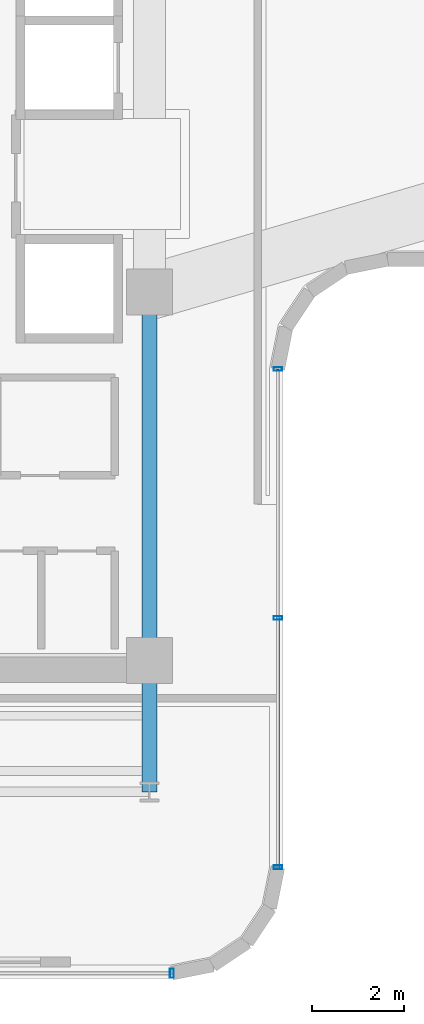
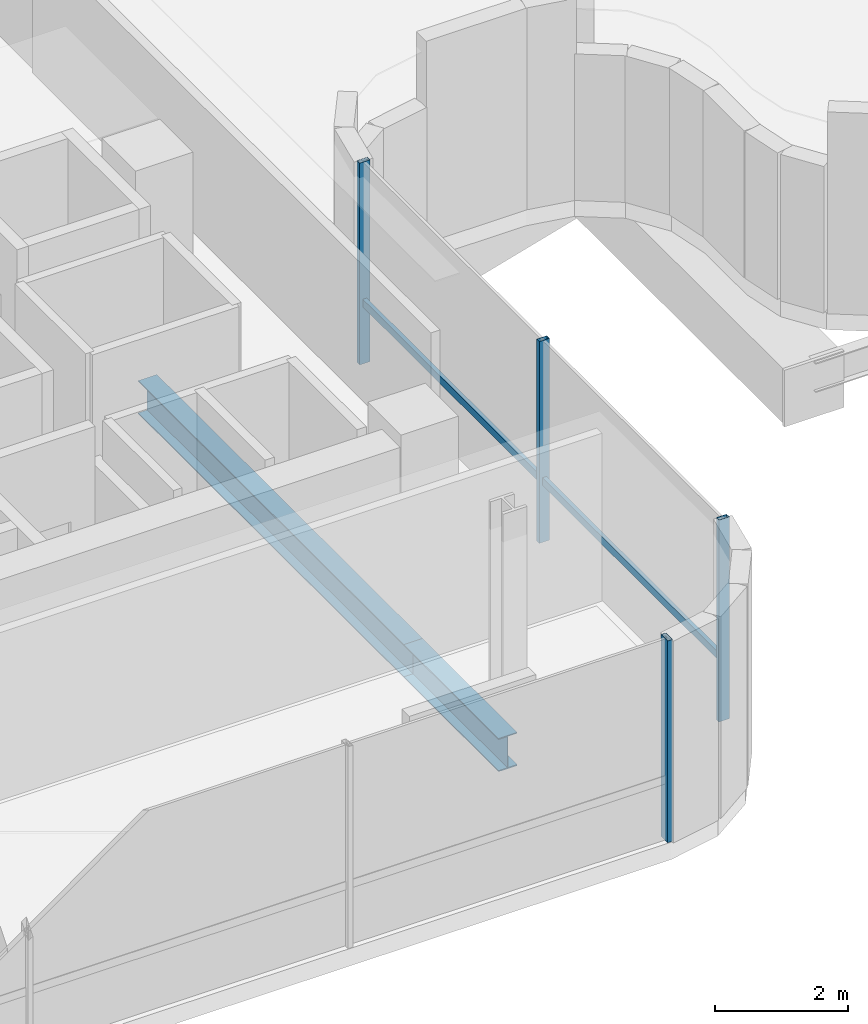
# One storey, part 6 of 35: 5 members, 2 beams, 2 elements without a shape of their own.
"""IFC4 building model written with IfcOpenShell, lengths in metres."""

import ifcopenshell
import ifcopenshell.guid

model = None  # the IFC model being written
_history = None  # IfcOwnerHistory: only IFC2X3 demands one
_inside = {}  # id of a spatial element -> (the spatial element, [elements in it])
_under = {}  # id of a project, library or spatial element -> (it, [spatial elements below it])
_declared = {}  # id of a project -> (the project, [libraries it declares])
_typed = {}  # id of a type object -> (the type object, [elements of that type])
_made_of = {}  # id of a material, layer set ... -> (it, [elements and type objects made of it])


def new_model(schema):
    """Start an empty IFC model of exactly this schema.

    Asked for "IFC4X3", IfcOpenShell would pick the latest addendum, in which some entities
    have other attributes; the version numbers below select the first issue.
    IFC2X3 requires an IfcOwnerHistory on every rooted entity: one is made here for all.
    """
    global model, _history
    if schema == "IFC4X3":
        model = ifcopenshell.file(schema_version=(4, 3, 0, 0))
    else:
        model = ifcopenshell.file(schema=schema)
    _inside.clear()
    _under.clear()
    _declared.clear()
    _typed.clear()
    _made_of.clear()
    _history = None
    if model.schema == "IFC2X3":
        org = make("IfcOrganization", Name="unknown")
        user = make(
            "IfcPersonAndOrganization",
            ThePerson=make("IfcPerson", FamilyName="unknown"),
            TheOrganization=org,
        )
        app = make(
            "IfcApplication",
            ApplicationDeveloper=org,
            Version="unknown",
            ApplicationFullName="unknown",
            ApplicationIdentifier="unknown",
        )
        _history = make(
            "IfcOwnerHistory",
            OwningUser=user,
            OwningApplication=app,
            ChangeAction="ADDED",
            CreationDate=0,
        )
    return model


def make(cls, **values):
    """One entity of the class cls with the attributes given. An attribute that is None is left unset."""
    return model.create_entity(
        cls, **{name: value for name, value in values.items() if value is not None}
    )


def rooted(cls, **values):
    """An entity with a GlobalId (a new one), such as an element, a storey or a relation."""
    return make(cls, GlobalId=ifcopenshell.guid.new(), OwnerHistory=_history, **values)


def si_unit(unit_type, name, prefix=None):
    """IfcSIUnit, for example si_unit("LENGTHUNIT", "METRE", prefix="MILLI")."""
    return make("IfcSIUnit", UnitType=unit_type, Prefix=prefix, Name=name)


def assignment(units):
    """IfcUnitAssignment: the units of a project."""
    return None if units is None else make("IfcUnitAssignment", Units=units)


def point(xyz):
    """IfcCartesianPoint."""
    return None if xyz is None else make("IfcCartesianPoint", Coordinates=xyz)


def direction(xyz):
    """IfcDirection."""
    return None if xyz is None else make("IfcDirection", DirectionRatios=xyz)


def frame(location, z_axis=None, x_axis=None):
    """IfcAxis2Placement3D, a coordinate frame: its origin and axes. An axis left out is left unset."""
    return make(
        "IfcAxis2Placement3D",
        Location=point(location),
        Axis=direction(z_axis),
        RefDirection=direction(x_axis),
    )


def frame_2d(location, x_axis=None):
    """IfcAxis2Placement2D, a coordinate frame in the plane: its origin and x axis."""
    return make(
        "IfcAxis2Placement2D", Location=point(location), RefDirection=direction(x_axis)
    )


def origin():
    """The frame at (0, 0, 0) with its axes left unset."""
    return frame((0.0, 0.0, 0.0))


def origin_2d():
    """The frame at (0, 0) in the plane with its x axis left unset."""
    return frame_2d((0.0, 0.0))


def place(relative_to, where):
    """IfcLocalPlacement: puts the frame where relative to a parent placement (None: the world)."""
    return make(
        "IfcLocalPlacement", PlacementRelTo=relative_to, RelativePlacement=where
    )


def context(
    kind, dimensions, precision=None, world=None, true_north=None, identifier=None
):
    """IfcGeometricRepresentationContext, for example the 3D "Model" context."""
    return make(
        "IfcGeometricRepresentationContext",
        ContextIdentifier=identifier,
        ContextType=kind,
        CoordinateSpaceDimension=dimensions,
        Precision=precision,
        WorldCoordinateSystem=world,
        TrueNorth=true_north,
    )


def subcontext(parent, identifier, kind, view, scale=None):
    """IfcGeometricRepresentationSubContext, for example "Body" below "Model"."""
    return make(
        "IfcGeometricRepresentationSubContext",
        ContextIdentifier=identifier,
        ContextType=kind,
        ParentContext=parent,
        TargetScale=scale,
        TargetView=view,
    )


def project(units=None, contexts=None):
    """IfcProject with its units and contexts."""
    return rooted(
        "IfcProject",
        Name="project",
        RepresentationContexts=contexts,
        UnitsInContext=assignment(units),
    )


def spatial(cls, under=None, at=None, **own):
    """A site, building, storey or space (cls), placed at a placement, below another one or the project."""
    s = rooted(cls, ObjectPlacement=at, **own)
    if under is not None:
        _under.setdefault(under.id(), (under, []))[1].append(s)
    return s


def profile(cls, at=None, kind="AREA", **sizes):
    """A parametric profile (cls). Its sizes go by their IFC names, for example OverallWidth=200.0."""
    return make(cls, ProfileType=kind, Position=at, **sizes)


def hollow_rectangle(**sizes):
    """IfcRectangleHollowProfileDef."""
    return profile("IfcRectangleHollowProfileDef", **sizes)


def i_section(**sizes):
    """IfcIShapeProfileDef."""
    return profile("IfcIShapeProfileDef", **sizes)


def extrude(swept, where, along, depth):
    """IfcExtrudedAreaSolid: the profile swept, set in the frame where, extruded along a direction by depth."""
    return make(
        "IfcExtrudedAreaSolid",
        SweptArea=swept,
        Position=where,
        ExtrudedDirection=direction(along),
        Depth=depth,
    )


def shape(context_of_items, identifier, shape_type, items):
    """IfcShapeRepresentation: the items that make up one representation, for example the "Body"."""
    return make(
        "IfcShapeRepresentation",
        ContextOfItems=context_of_items,
        RepresentationIdentifier=identifier,
        RepresentationType=shape_type,
        Items=items,
    )


def source(mapping_origin, context_of_items, identifier, shape_type, items):
    """IfcRepresentationMap: a shape defined once, which mapped items show again and again."""
    return make(
        "IfcRepresentationMap",
        MappingOrigin=mapping_origin,
        MappedRepresentation=shape(context_of_items, identifier, shape_type, items),
    )


def transform(
    local_origin,
    x_axis=None,
    y_axis=None,
    z_axis=None,
    scale=None,
    scale2=None,
    scale3=None,
    uniform=True,
):
    """IfcCartesianTransformationOperator3D, or its non-uniform kind. x_axis, y_axis, z_axis: its Axis1, 2, 3."""
    if uniform:
        return make(
            "IfcCartesianTransformationOperator3D",
            Axis1=direction(x_axis),
            Axis2=direction(y_axis),
            LocalOrigin=point(local_origin),
            Scale=scale,
            Axis3=direction(z_axis),
        )
    return make(
        "IfcCartesianTransformationOperator3DnonUniform",
        Axis1=direction(x_axis),
        Axis2=direction(y_axis),
        LocalOrigin=point(local_origin),
        Scale=scale,
        Axis3=direction(z_axis),
        Scale2=scale2,
        Scale3=scale3,
    )


def mapped(mapping_source, mapping_target):
    """IfcMappedItem: shows the shape of a source again, moved by a transform."""
    return make(
        "IfcMappedItem", MappingSource=mapping_source, MappingTarget=mapping_target
    )


def material(Name=None, Category=None):
    """IfcMaterial."""
    return make("IfcMaterial", Name=Name, Category=Category)


def material_profile(
    of_material, cross_section, Name=None, Category=None, Priority=None
):
    """IfcMaterialProfile: a cross section and its material."""
    return make(
        "IfcMaterialProfile",
        Name=Name,
        Material=of_material,
        Profile=cross_section,
        Priority=Priority,
        Category=Category,
    )


def profile_set(profiles, Name=None, composite=None):
    """IfcMaterialProfileSet."""
    return make(
        "IfcMaterialProfileSet",
        Name=Name,
        MaterialProfiles=profiles,
        CompositeProfile=composite,
    )


def made_of(thing, what):
    """Note that an element or type object is made of a material, layer set ...; save() writes the relation."""
    if what is not None:
        _made_of.setdefault(what.id(), (what, []))[1].append(thing)
    return thing


def type_object(cls, material=None, **own):
    """A type object (cls), such as IfcWallType, which elements share."""
    return made_of(rooted(cls, **own), material)


def element(
    cls,
    number,
    at=None,
    inside=None,
    cuts=None,
    type_object=None,
    material=None,
    context=None,
    identifier="Body",
    shape_type=None,
    held_by="IfcProductDefinitionShape",
    body=None,
    shapes=None,
    **own,
):
    """One element of the class cls, such as IfcWall. Its Tag is "e" and its number.

    at: its placement. inside: the storey or other place that contains it. cuts: it is an
    opening in that element (IfcRelVoidsElement). A single representation is given by context,
    identifier, shape_type and body (its items); several are given by shapes. held_by: the class
    of the entity that holds the representations. save() writes the other relations.
    """
    e = rooted(cls, Tag="e%d" % number, ObjectPlacement=at, **own)
    if body is not None:
        shapes = [shape(context, identifier, shape_type, body)]
    if shapes is not None:
        e.Representation = make(held_by, Representations=shapes)
    if inside is not None:
        _inside.setdefault(inside.id(), (inside, []))[1].append(e)
    if cuts is not None:
        rooted(
            "IfcRelVoidsElement", RelatingBuildingElement=cuts, RelatedOpeningElement=e
        )
    if type_object is not None:
        _typed.setdefault(type_object.id(), (type_object, []))[1].append(e)
    return made_of(e, material)


def aggregate(whole, parts):
    """IfcRelAggregates: a whole, such as a stair, and the parts it consists of."""
    return rooted("IfcRelAggregates", RelatingObject=whole, RelatedObjects=parts)


def save(model, path):
    """Write the relations noted so far, then the file.

    IfcRelAggregates (storeys below a building ...), IfcRelContainedInSpatialStructure (elements
    in a storey), IfcRelDefinesByType, IfcRelAssociatesMaterial and IfcRelDeclares: one each for
    every whole, place, type object, material and project.
    """
    for whole, parts in _under.values():
        aggregate(whole, parts)
    for where, things in _inside.values():
        rooted(
            "IfcRelContainedInSpatialStructure",
            RelatedElements=things,
            RelatingStructure=where,
        )
    for kind, things in _typed.values():
        rooted("IfcRelDefinesByType", RelatedObjects=things, RelatingType=kind)
    for what, things in _made_of.values():
        rooted("IfcRelAssociatesMaterial", RelatedObjects=things, RelatingMaterial=what)
    for by, libraries in _declared.values():
        rooted("IfcRelDeclares", RelatingContext=by, RelatedDefinitions=libraries)
    model.write(path)


model = new_model("IFC4")

# Units and contexts
model_context = context("Model", 3, precision=1e-05, world=origin(), true_north=direction((0.0, 1.0)))
body_context = subcontext(model_context, "Body", "Model", "MODEL_VIEW")
ifc_project = project(units=[si_unit("LENGTHUNIT", "METRE"), si_unit("AREAUNIT", "SQUARE_METRE"), si_unit("VOLUMEUNIT", "CUBIC_METRE"), si_unit("PLANEANGLEUNIT", "RADIAN"), si_unit("MASSUNIT", "GRAM", prefix="KILO")], contexts=[model_context])

# Site, building, storey
site_placement = place(None, origin())
site = spatial("IfcSite", under=ifc_project, at=site_placement, CompositionType="ELEMENT")
building_placement = place(site_placement, origin())
building = spatial("IfcBuilding", under=site, at=building_placement, Name="Valdorenza Pilgrim Sanctuary Tower", CompositionType="ELEMENT")
storey_placement = place(building_placement, frame((0.0, 0.0, 192.35009765625)))
storey = spatial("IfcBuildingStorey", under=building, at=storey_placement, Name="L49", CompositionType="ELEMENT", Elevation=192.35009765625)

# Beams
ifc_material_1 = material(Name="Steel ASTM A992 Grade 50", Category="steel")
ifc_material_profile_1 = material_profile(ifc_material_1, i_section(OverallWidth=0.323974609375, OverallDepth=0.611083984375, WebThickness=0.0126953125, FlangeThickness=0.01904296875, at=origin_2d()), Name="W24X104")
ifc_profile_set_1 = profile_set([ifc_material_profile_1], Name="Steel ASTM A992 Grade 50")
beam_type = type_object("IfcBeamType", Name="STR-BM-GRD-W24B", PredefinedType="BEAM", material=ifc_profile_set_1)
shared_shape_1 = source(origin(), body_context, "Body", "SweptSolid", [
    extrude(i_section(OverallWidth=0.323974609375, OverallDepth=0.611083984375, WebThickness=0.0126953125, FlangeThickness=0.01904296875, at=origin_2d()), origin(), (0.0, 0.0, 1.0), 8.0),
])
beam_1_placement = place(storey_placement, frame((-12.39990234375, -10.60009765625, -0.62548828125), z_axis=(0.0, 1.0, 0.0), x_axis=(-1.0, 0.0, 0.0)))
element("IfcBeam", 1, at=beam_1_placement, inside=storey, type_object=beam_type, Name="L49 Core Tie Girder CA-E-S1M0", PredefinedType="BEAM", context=body_context, shape_type="MappedRepresentation", body=[
    mapped(shared_shape_1, transform((0.0, 0.0, 0.0), x_axis=(1.0, 0.0, 0.0), y_axis=(0.0, 1.0, 0.0), z_axis=(0.0, 0.0, 1.0), scale=1.0)),
])
shared_shape_2 = source(origin(), body_context, "Body", "SweptSolid", [
    extrude(i_section(OverallWidth=0.323974609375, OverallDepth=0.611083984375, WebThickness=0.0126953125, FlangeThickness=0.01904296875, at=origin_2d()), origin(), (0.0, 0.0, 1.0), 2.849853515625),
])
beam_2_placement = place(storey_placement, frame((-12.39990234375, -13.449951171875, -0.62548828125), z_axis=(0.0, 1.0, 0.0), x_axis=(-1.0, 0.0, 0.0)))
element("IfcBeam", 2, at=beam_2_placement, inside=storey, type_object=beam_type, Name="L49 Floor Girder WA-S-LE", PredefinedType="BEAM", context=body_context, shape_type="MappedRepresentation", body=[
    mapped(shared_shape_2, transform((0.0, 0.0, 0.0), x_axis=(1.0, 0.0, 0.0), y_axis=(0.0, 1.0, 0.0), z_axis=(0.0, 0.0, 1.0), scale=1.0)),
])

# Curtain wall, member
ifc_material_2 = material(Name="Curtain-wall IGU glazing", Category="glass")
curtain_wall_type_1 = type_object("IfcCurtainWallType", Name="CW-SYS-05", PredefinedType="NOTDEFINED", material=ifc_material_2)
curtain_wall_1_placement = place(storey_placement, origin())
curtain_wall_1 = element("IfcCurtainWall", 3, at=curtain_wall_1_placement, inside=storey, type_object=curtain_wall_type_1, Name="L49 Curtain Wall CW-L49-1-77", PredefinedType="NOTDEFINED")
ifc_material_3 = material(Name="Anodised aluminium AW-6060", Category="aluminium")
ifc_material_profile_2 = material_profile(ifc_material_3, hollow_rectangle(XDim=0.070068359375, YDim=0.139892578125, WallThickness=0.00341796875, at=origin_2d()), Name="ALU-T 140x70x3.5")
ifc_profile_set_2 = profile_set([ifc_material_profile_2], Name="Anodised aluminium AW-6060")
member_type_1 = type_object("IfcMemberType", Name="CW-TRN-05", PredefinedType="USERDEFINED", material=ifc_profile_set_2)
shared_shape_3 = source(origin(), body_context, "Body", "SweptSolid", [
    extrude(hollow_rectangle(XDim=0.070068359375, YDim=0.139892578125, WallThickness=0.00341796875, at=origin_2d()), origin(), (0.0, 0.0, 1.0), 10.81982421875),
])
member_1_placement = place(storey_placement, frame((-9.610107421875, -4.269287109375, 1.119873046875), z_axis=(0.0, -1.0, 0.0), x_axis=(1.0, 0.0, 0.0)))
member_1 = element("IfcMember", 4, at=member_1_placement, type_object=member_type_1, Name="CW-L49-1-77 Transom 1", ObjectType="TRANSOM", PredefinedType="USERDEFINED", context=body_context, shape_type="MappedRepresentation", body=[
    mapped(shared_shape_3, transform((0.0, 0.0, 0.0), x_axis=(1.0, 0.0, 0.0), y_axis=(0.0, 1.0, 0.0), z_axis=(0.0, 0.0, 1.0), scale=1.0)),
])

curtain_wall_type_2 = type_object("IfcCurtainWallType", Name="CW-SYS-02", PredefinedType="NOTDEFINED", material=ifc_material_2)
curtain_wall_2_placement = place(storey_placement, origin())
curtain_wall_2 = element("IfcCurtainWall", 5, at=curtain_wall_2_placement, inside=storey, type_object=curtain_wall_type_2, Name="L49 Curtain Wall CW-L49-1-82", PredefinedType="NOTDEFINED")
ifc_material_profile_3 = material_profile(ifc_material_3, hollow_rectangle(XDim=0.0849609375, YDim=0.199951171875, WallThickness=0.0048828125, at=origin_2d()), Name="ALU-M 200x85x5")
ifc_profile_set_3 = profile_set([ifc_material_profile_3], Name="Anodised aluminium AW-6060")
member_type_2 = type_object("IfcMemberType", Name="CW-MUL-02", PredefinedType="MULLION", material=ifc_profile_set_3)
shared_shape_4 = source(origin(), body_context, "Body", "SweptSolid", [
    extrude(hollow_rectangle(XDim=0.0849609375, YDim=0.199951171875, WallThickness=0.0048828125, at=origin_2d()), origin(), (0.0, 0.0, 1.0), 3.7099609375),
])
member_2_placement = place(storey_placement, frame((-11.910888671875, -17.389892578125, 0.0), z_axis=(0.0, 0.0, 1.0), x_axis=(-1.0, 0.0, 0.0)))
member_2 = element("IfcMember", 6, at=member_2_placement, type_object=member_type_2, Name="CW-L49-1-82 Mullion 1", PredefinedType="MULLION", context=body_context, shape_type="MappedRepresentation", body=[
    mapped(shared_shape_4, transform((0.0, 0.0, 0.0), x_axis=(1.0, 0.0, 0.0), y_axis=(0.0, 1.0, 0.0), z_axis=(0.0, 0.0, 1.0), scale=1.0)),
])
aggregate(curtain_wall_2, [member_2])

# Member
ifc_material_profile_4 = material_profile(ifc_material_3, hollow_rectangle(XDim=0.080078125, YDim=0.179931640625, WallThickness=0.00439453125, at=origin_2d()), Name="ALU-M 180x80x4.5")
ifc_profile_set_4 = profile_set([ifc_material_profile_4], Name="Anodised aluminium AW-6060")
member_type_3 = type_object("IfcMemberType", Name="CW-MUL-05", PredefinedType="MULLION", material=ifc_profile_set_4)
shared_shape_5 = source(origin(), body_context, "Body", "SweptSolid", [
    extrude(hollow_rectangle(XDim=0.080078125, YDim=0.179931640625, WallThickness=0.00439453125, at=origin_2d()), origin(), (0.0, 0.0, 1.0), 3.7099609375),
])
member_3_placement = place(storey_placement, frame((-9.610107421875, -4.269287109375, 0.0), z_axis=(0.0, 0.0, 1.0), x_axis=(0.0, -1.0, 0.0)))
member_3 = element("IfcMember", 7, at=member_3_placement, type_object=member_type_3, Name="CW-L49-1-77 Mullion 1", PredefinedType="MULLION", context=body_context, shape_type="MappedRepresentation", body=[
    mapped(shared_shape_5, transform((0.0, 0.0, 0.0), x_axis=(1.0, 0.0, 0.0), y_axis=(0.0, 1.0, 0.0), z_axis=(0.0, 0.0, 1.0), scale=1.0)),
])

member_4_placement = place(storey_placement, frame((-9.610107421875, -9.67919921875, 0.0), z_axis=(0.0, 0.0, 1.0), x_axis=(0.0, -1.0, 0.0)))
member_4 = element("IfcMember", 8, at=member_4_placement, type_object=member_type_3, Name="CW-L49-1-77 Mullion 2", PredefinedType="MULLION", context=body_context, shape_type="MappedRepresentation", body=[
    mapped(shared_shape_5, transform((0.0, 0.0, 0.0), x_axis=(1.0, 0.0, 0.0), y_axis=(0.0, 1.0, 0.0), z_axis=(0.0, 0.0, 1.0), scale=1.0)),
])

member_5_placement = place(storey_placement, frame((-9.610107421875, -15.089111328125, 0.0), z_axis=(0.0, 0.0, 1.0), x_axis=(0.0, -1.0, 0.0)))
member_5 = element("IfcMember", 9, at=member_5_placement, type_object=member_type_3, Name="CW-L49-1-77 Mullion 3", PredefinedType="MULLION", context=body_context, shape_type="MappedRepresentation", body=[
    mapped(shared_shape_5, transform((0.0, 0.0, 0.0), x_axis=(1.0, 0.0, 0.0), y_axis=(0.0, 1.0, 0.0), z_axis=(0.0, 0.0, 1.0), scale=1.0)),
])

aggregate(curtain_wall_1, [member_3, member_4, member_5, member_1])

save(model, "model.ifc")
